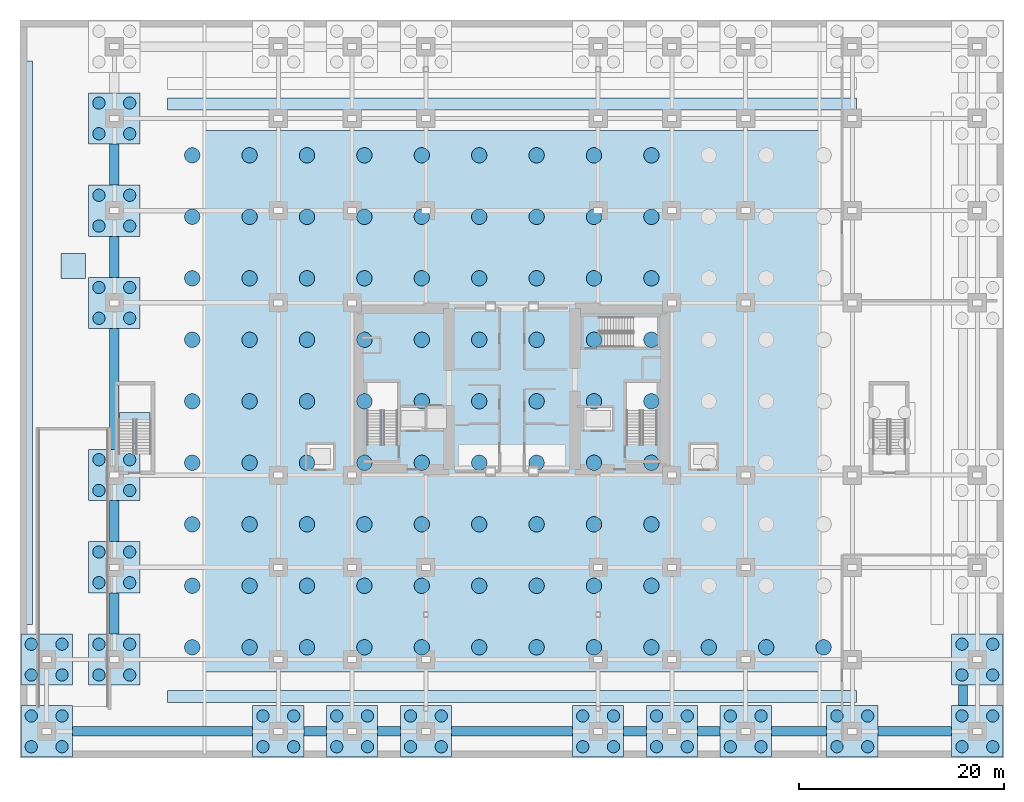
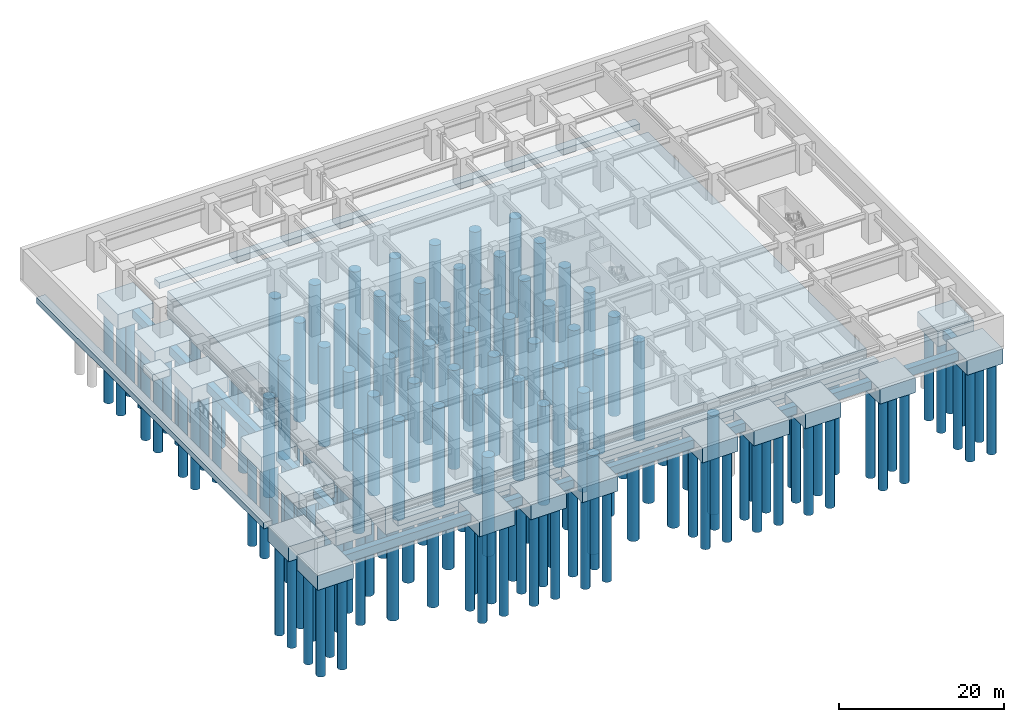
# One storey, part 1 of 23: 152 piles, 37 footings.
"""IFC4 building model written with IfcOpenShell, lengths in metres."""

from ifc_helpers import new_model, si_unit, direction, frame, origin, origin_2d, place, context, subcontext, project, spatial, rectangle, circle, extrude, material, material_profile, profile_set, type_object, element, save


model = new_model("IFC4")

# Units and contexts
model_context = context("Model", 3, precision=1e-05, world=origin(), true_north=direction((0.0, 1.0)))
body_context = subcontext(model_context, "Body", "Model", "MODEL_VIEW")
ifc_project = project(units=[si_unit("LENGTHUNIT", "METRE"), si_unit("AREAUNIT", "SQUARE_METRE"), si_unit("VOLUMEUNIT", "CUBIC_METRE"), si_unit("PLANEANGLEUNIT", "RADIAN"), si_unit("MASSUNIT", "GRAM", prefix="KILO")], contexts=[model_context])

# Site, building, storey
site_placement = place(None, origin())
site = spatial("IfcSite", under=ifc_project, at=site_placement, CompositionType="ELEMENT")
building_placement = place(site_placement, origin())
building = spatial("IfcBuilding", under=site, at=building_placement, Name="Kiyonajd Concourse Tower", CompositionType="ELEMENT")
storey_placement = place(building_placement, frame((0.0, 0.0, -9.0)))
storey = spatial("IfcBuildingStorey", under=building, at=storey_placement, Name="B2", CompositionType="ELEMENT", Elevation=-9.0)

# Footings
ifc_material_1 = material(Name="Concrete C50/60", Category="concrete")
footing_type_1 = type_object("IfcFootingType", Name="FT-GB-900", PredefinedType="FOOTING_BEAM", material=ifc_material_1)
footing_1_placement = place(storey_placement, frame((13.89990234375, 2.60009765625, -1.64990234375), z_axis=(0.0, 0.0, 1.0), x_axis=(1.0, 0.0, 0.0)))
element("IfcFooting", 1, at=footing_1_placement, inside=storey, type_object=footing_type_1, Name="Continuous Grade Beam GB S 1", PredefinedType="FOOTING_BEAM", context=body_context, shape_type="SweptSolid", body=[
    extrude(rectangle(XDim=17.60009765625, YDim=0.89990234375, at=origin_2d()), origin(), (0.0, 0.0, 1.0), 1.199951171875),
])
for number, where, z_axis, x_axis, name in (
    (2, (28.800048828125, 2.60009765625, -1.64990234375), (0.0, 0.0, 1.0), (1.0, 0.0, 0.0), "Continuous Grade Beam GB S 2"),
    (3, (36.0, 2.60009765625, -1.64990234375), (0.0, 0.0, 1.0), (1.0, 0.0, 0.0), "Continuous Grade Beam GB S 3"),
):
    element("IfcFooting", number, at=place(storey_placement, frame(where, z_axis=z_axis, x_axis=x_axis)), inside=storey, type_object=footing_type_1, Name=name, PredefinedType="FOOTING_BEAM", context=body_context, shape_type="SweptSolid", body=[
        extrude(rectangle(XDim=2.199951171875, YDim=0.89990234375, at=origin_2d()), origin(), (0.0, 0.0, 1.0), 1.199951171875),
    ])
footing_2_placement = place(storey_placement, frame((48.0, 2.60009765625, -1.64990234375), z_axis=(0.0, 0.0, 1.0), x_axis=(1.0, 0.0, 0.0)))
element("IfcFooting", 4, at=footing_2_placement, inside=storey, type_object=footing_type_1, Name="Continuous Grade Beam GB S 4", PredefinedType="FOOTING_BEAM", context=body_context, shape_type="SweptSolid", body=[
    extrude(rectangle(XDim=11.800048828125, YDim=0.89990234375, at=origin_2d()), origin(), (0.0, 0.0, 1.0), 1.199951171875),
])
for number, where, z_axis, x_axis, name in (
    (5, (60.0, 2.60009765625, -1.64990234375), (0.0, 0.0, 1.0), (1.0, 0.0, 0.0), "Continuous Grade Beam GB S 5"),
    (6, (67.199951171875, 2.60009765625, -1.64990234375), (0.0, 0.0, 1.0), (1.0, 0.0, 0.0), "Continuous Grade Beam GB S 6"),
):
    element("IfcFooting", number, at=place(storey_placement, frame(where, z_axis=z_axis, x_axis=x_axis)), inside=storey, type_object=footing_type_1, Name=name, PredefinedType="FOOTING_BEAM", context=body_context, shape_type="SweptSolid", body=[
        extrude(rectangle(XDim=2.199951171875, YDim=0.89990234375, at=origin_2d()), origin(), (0.0, 0.0, 1.0), 1.199951171875),
    ])
footing_3_placement = place(storey_placement, frame((76.0, 2.60009765625, -1.64990234375), z_axis=(0.0, 0.0, 1.0), x_axis=(1.0, 0.0, 0.0)))
element("IfcFooting", 7, at=footing_3_placement, inside=storey, type_object=footing_type_1, Name="Continuous Grade Beam GB S 7", PredefinedType="FOOTING_BEAM", context=body_context, shape_type="SweptSolid", body=[
    extrude(rectangle(XDim=5.39990234375, YDim=0.89990234375, at=origin_2d()), origin(), (0.0, 0.0, 1.0), 1.199951171875),
])
footing_4_placement = place(storey_placement, frame((87.300048828125, 2.60009765625, -1.64990234375), z_axis=(0.0, 0.0, 1.0), x_axis=(1.0, 0.0, 0.0)))
element("IfcFooting", 8, at=footing_4_placement, inside=storey, type_object=footing_type_1, Name="Continuous Grade Beam GB S 8", PredefinedType="FOOTING_BEAM", context=body_context, shape_type="SweptSolid", body=[
    extrude(rectangle(XDim=7.199951171875, YDim=0.89990234375, at=origin_2d()), origin(), (0.0, 0.0, 1.0), 1.199951171875),
])
for number, where, z_axis, x_axis, name in (
    (9, (9.199951171875, 14.10009765625, -1.64990234375), (0.0, 0.0, 1.0), (0.0, 1.0, 0.0), "Continuous Grade Beam GB W 1"),
    (10, (9.199951171875, 23.10009765625, -1.64990234375), (0.0, 0.0, 1.0), (0.0, 1.0, 0.0), "Continuous Grade Beam GB W 2"),
):
    element("IfcFooting", number, at=place(storey_placement, frame(where, z_axis=z_axis, x_axis=x_axis)), inside=storey, type_object=footing_type_1, Name=name, PredefinedType="FOOTING_BEAM", context=body_context, shape_type="SweptSolid", body=[
        extrude(rectangle(XDim=4.0, YDim=0.89990234375, at=origin_2d()), origin(), (0.0, 0.0, 1.0), 1.199951171875),
    ])
footing_5_placement = place(storey_placement, frame((9.199951171875, 36.0, -1.64990234375), z_axis=(0.0, 0.0, 1.0), x_axis=(0.0, 1.0, 0.0)))
element("IfcFooting", 11, at=footing_5_placement, inside=storey, type_object=footing_type_1, Name="Continuous Grade Beam GB W 3", PredefinedType="FOOTING_BEAM", context=body_context, shape_type="SweptSolid", body=[
    extrude(rectangle(XDim=11.800048828125, YDim=0.89990234375, at=origin_2d()), origin(), (0.0, 0.0, 1.0), 1.199951171875),
])
for number, where, z_axis, x_axis, name in (
    (12, (9.199951171875, 48.89990234375, -1.64990234375), (0.0, 0.0, 1.0), (0.0, 1.0, 0.0), "Continuous Grade Beam GB W 4"),
    (13, (9.199951171875, 57.89990234375, -1.64990234375), (0.0, 0.0, 1.0), (0.0, 1.0, 0.0), "Continuous Grade Beam GB W 5"),
):
    element("IfcFooting", number, at=place(storey_placement, frame(where, z_axis=z_axis, x_axis=x_axis)), inside=storey, type_object=footing_type_1, Name=name, PredefinedType="FOOTING_BEAM", context=body_context, shape_type="SweptSolid", body=[
        extrude(rectangle(XDim=4.0, YDim=0.89990234375, at=origin_2d()), origin(), (0.0, 0.0, 1.0), 1.199951171875),
    ])
footing_6_placement = place(storey_placement, frame((92.0, 6.10009765625, -1.64990234375), z_axis=(0.0, 0.0, 1.0), x_axis=(0.0, 1.0, 0.0)))
element("IfcFooting", 14, at=footing_6_placement, inside=storey, type_object=footing_type_1, Name="Continuous Grade Beam GB E 1", PredefinedType="FOOTING_BEAM", context=body_context, shape_type="SweptSolid", body=[
    extrude(rectangle(XDim=2.0, YDim=0.89990234375, at=origin_2d()), origin(), (0.0, 0.0, 1.0), 1.199951171875),
])
footing_type_2 = type_object("IfcFootingType", Name="FT-PAD-2400", PredefinedType="PAD_FOOTING", material=ifc_material_1)
footing_7_placement = place(storey_placement, frame((5.199951171875, 48.0, -1.449951171875), z_axis=(0.0, 0.0, 1.0), x_axis=(1.0, 0.0, 0.0)))
element("IfcFooting", 15, at=footing_7_placement, inside=storey, type_object=footing_type_2, Name="Basement Auxiliary Footing 02", PredefinedType="PAD_FOOTING", context=body_context, shape_type="SweptSolid", body=[
    extrude(rectangle(XDim=2.39990234375, YDim=2.39990234375, at=origin_2d()), origin(), (0.0, 0.0, 1.0), 1.0),
])
footing_type_3 = type_object("IfcFootingType", Name="FT-PAD-3000", PredefinedType="PAD_FOOTING", material=ifc_material_1)
footing_8_placement = place(storey_placement, frame((11.199951171875, 32.199951171875, -1.64990234375), z_axis=(0.0, 0.0, 1.0), x_axis=(1.0, 0.0, 0.0)))
element("IfcFooting", 16, at=footing_8_placement, inside=storey, type_object=footing_type_3, Name="Basement Pad Footing 01", PredefinedType="PAD_FOOTING", context=body_context, shape_type="SweptSolid", body=[
    extrude(rectangle(XDim=3.0, YDim=3.0, at=origin_2d()), origin(), (0.0, 0.0, 1.0), 1.199951171875),
])
footing_type_4 = type_object("IfcFootingType", Name="FT-PCAP-5000", PredefinedType="PILE_CAP", material=ifc_material_1)
for number, where, z_axis, x_axis, name in (
    (17, (2.60009765625, 2.60009765625, -2.64990234375), (0.0, 0.0, 1.0), (1.0, 0.0, 0.0), "Podium Pile Cap 01"),
    (18, (2.60009765625, 9.60009765625, -2.64990234375), (0.0, 0.0, 1.0), (1.0, 0.0, 0.0), "Podium Pile Cap 02"),
    (19, (9.199951171875, 9.60009765625, -2.64990234375), (0.0, 0.0, 1.0), (1.0, 0.0, 0.0), "Podium Pile Cap 03"),
    (20, (9.199951171875, 18.60009765625, -2.64990234375), (0.0, 0.0, 1.0), (1.0, 0.0, 0.0), "Podium Pile Cap 04"),
    (21, (9.199951171875, 27.60009765625, -2.64990234375), (0.0, 0.0, 1.0), (1.0, 0.0, 0.0), "Podium Pile Cap 05"),
    (22, (9.199951171875, 44.39990234375, -2.64990234375), (0.0, 0.0, 1.0), (1.0, 0.0, 0.0), "Podium Pile Cap 06"),
    (23, (9.199951171875, 53.39990234375, -2.64990234375), (0.0, 0.0, 1.0), (1.0, 0.0, 0.0), "Podium Pile Cap 07"),
    (24, (9.199951171875, 62.39990234375, -2.64990234375), (0.0, 0.0, 1.0), (1.0, 0.0, 0.0), "Podium Pile Cap 08"),
    (25, (25.199951171875, 2.60009765625, -2.64990234375), (0.0, 0.0, 1.0), (1.0, 0.0, 0.0), "Podium Pile Cap 10"),
    (26, (32.39990234375, 2.60009765625, -2.64990234375), (0.0, 0.0, 1.0), (1.0, 0.0, 0.0), "Podium Pile Cap 12"),
    (27, (39.60009765625, 2.60009765625, -2.64990234375), (0.0, 0.0, 1.0), (1.0, 0.0, 0.0), "Podium Pile Cap 14"),
    (28, (56.39990234375, 2.60009765625, -2.64990234375), (0.0, 0.0, 1.0), (1.0, 0.0, 0.0), "Podium Pile Cap 16"),
    (29, (63.60009765625, 2.60009765625, -2.64990234375), (0.0, 0.0, 1.0), (1.0, 0.0, 0.0), "Podium Pile Cap 18"),
    (30, (70.800048828125, 2.60009765625, -2.64990234375), (0.0, 0.0, 1.0), (1.0, 0.0, 0.0), "Podium Pile Cap 20"),
    (31, (81.199951171875, 2.60009765625, -2.64990234375), (0.0, 0.0, 1.0), (1.0, 0.0, 0.0), "Podium Pile Cap 22"),
    (32, (93.39990234375, 2.60009765625, -2.64990234375), (0.0, 0.0, 1.0), (1.0, 0.0, 0.0), "Podium Pile Cap 24"),
    (33, (93.39990234375, 9.60009765625, -2.64990234375), (0.0, 0.0, 1.0), (1.0, 0.0, 0.0), "Podium Pile Cap 25"),
):
    element("IfcFooting", number, at=place(storey_placement, frame(where, z_axis=z_axis, x_axis=x_axis)), inside=storey, type_object=footing_type_4, Name=name, PredefinedType="PILE_CAP", context=body_context, shape_type="SweptSolid", body=[
        extrude(rectangle(XDim=5.0, YDim=5.0, at=origin_2d()), origin(), (0.0, 0.0, 1.0), 2.199951171875),
    ])
ifc_material_2 = material(Name="Concrete C60/75", Category="concrete")
footing_type_5 = type_object("IfcFootingType", Name="FT-RAFT-4000", PredefinedType="PILE_CAP", material=ifc_material_2)
footing_9_placement = place(storey_placement, frame((48.0, 34.800048828125, -4.449951171875), z_axis=(0.0, 0.0, 1.0), x_axis=(1.0, 0.0, 0.0)))
element("IfcFooting", 34, at=footing_9_placement, inside=storey, type_object=footing_type_5, Name="Tower Concrete C60/75 Piled Raft", PredefinedType="PILE_CAP", context=body_context, shape_type="SweptSolid", body=[
    extrude(rectangle(XDim=67.199951171875, YDim=52.800048828125, at=origin_2d()), origin(), (0.0, 0.0, 1.0), 4.0),
])
footing_type_6 = type_object("IfcFootingType", Name="FT-SF-1200", PredefinedType="STRIP_FOOTING", material=ifc_material_1)
for number, where, z_axis, x_axis, name in (
    (35, (48.0, 6.0, -1.349853515625), (0.0, 0.0, 1.0), (1.0, 0.0, 0.0), "Continuous Strip Footing SF S"),
    (36, (48.0, 63.800048828125, -1.349853515625), (0.0, 0.0, 1.0), (1.0, 0.0, 0.0), "Continuous Strip Footing SF M1"),
):
    element("IfcFooting", number, at=place(storey_placement, frame(where, z_axis=z_axis, x_axis=x_axis)), inside=storey, type_object=footing_type_6, Name=name, PredefinedType="STRIP_FOOTING", context=body_context, shape_type="SweptSolid", body=[
        extrude(rectangle(XDim=67.199951171875, YDim=1.199951171875, at=origin_2d()), origin(), (0.0, 0.0, 1.0), 0.89990234375),
    ])
footing_10_placement = place(storey_placement, frame((0.60009765625, 40.5, -1.349853515625), z_axis=(0.0, 0.0, 1.0), x_axis=(0.0, 1.0, 0.0)))
element("IfcFooting", 37, at=footing_10_placement, inside=storey, type_object=footing_type_6, Name="Continuous Strip Footing SF W1", PredefinedType="STRIP_FOOTING", context=body_context, shape_type="SweptSolid", body=[
    extrude(rectangle(XDim=55.0, YDim=1.199951171875, at=origin_2d()), origin(), (0.0, 0.0, 1.0), 0.89990234375),
])

# Piles
ifc_material_profile_1 = material_profile(ifc_material_1, circle(Radius=0.60009765625, at=origin_2d()), Name="PILE-D1200")
ifc_profile_set_1 = profile_set([ifc_material_profile_1], Name="Concrete C50/60")
pile_type_1 = type_object("IfcPileType", Name="PI-BORED-1200", PredefinedType="BORED", material=ifc_profile_set_1)
for number, where, z_axis, x_axis, name in (
    (38, (1.10009765625, 1.10009765625, -2.550048828125), (0.0, 0.0, -1.0), (1.0, 0.0, 0.0), "Podium Rock-Socketed Bored Pile 001"),
    (39, (4.10009765625, 1.10009765625, -2.550048828125), (0.0, 0.0, -1.0), (1.0, 0.0, 0.0), "Podium Rock-Socketed Bored Pile 002"),
    (40, (1.10009765625, 4.10009765625, -2.550048828125), (0.0, 0.0, -1.0), (1.0, 0.0, 0.0), "Podium Rock-Socketed Bored Pile 003"),
    (41, (4.10009765625, 4.10009765625, -2.550048828125), (0.0, 0.0, -1.0), (1.0, 0.0, 0.0), "Podium Rock-Socketed Bored Pile 004"),
    (42, (1.10009765625, 8.10009765625, -2.550048828125), (0.0, 0.0, -1.0), (1.0, 0.0, 0.0), "Podium Rock-Socketed Bored Pile 005"),
    (43, (4.10009765625, 8.10009765625, -2.550048828125), (0.0, 0.0, -1.0), (1.0, 0.0, 0.0), "Podium Rock-Socketed Bored Pile 006"),
    (44, (1.10009765625, 11.10009765625, -2.550048828125), (0.0, 0.0, -1.0), (1.0, 0.0, 0.0), "Podium Rock-Socketed Bored Pile 007"),
    (45, (4.10009765625, 11.10009765625, -2.550048828125), (0.0, 0.0, -1.0), (1.0, 0.0, 0.0), "Podium Rock-Socketed Bored Pile 008"),
    (46, (7.699951171875, 8.10009765625, -2.550048828125), (0.0, 0.0, -1.0), (1.0, 0.0, 0.0), "Podium Rock-Socketed Bored Pile 009"),
    (47, (10.699951171875, 8.10009765625, -2.550048828125), (0.0, 0.0, -1.0), (1.0, 0.0, 0.0), "Podium Rock-Socketed Bored Pile 010"),
    (48, (7.699951171875, 11.10009765625, -2.550048828125), (0.0, 0.0, -1.0), (1.0, 0.0, 0.0), "Podium Rock-Socketed Bored Pile 011"),
    (49, (10.699951171875, 11.10009765625, -2.550048828125), (0.0, 0.0, -1.0), (1.0, 0.0, 0.0), "Podium Rock-Socketed Bored Pile 012"),
    (50, (7.699951171875, 17.10009765625, -2.550048828125), (0.0, 0.0, -1.0), (1.0, 0.0, 0.0), "Podium Rock-Socketed Bored Pile 013"),
    (51, (10.699951171875, 17.10009765625, -2.550048828125), (0.0, 0.0, -1.0), (1.0, 0.0, 0.0), "Podium Rock-Socketed Bored Pile 014"),
    (52, (7.699951171875, 20.10009765625, -2.550048828125), (0.0, 0.0, -1.0), (1.0, 0.0, 0.0), "Podium Rock-Socketed Bored Pile 015"),
    (53, (10.699951171875, 20.10009765625, -2.550048828125), (0.0, 0.0, -1.0), (1.0, 0.0, 0.0), "Podium Rock-Socketed Bored Pile 016"),
    (54, (7.699951171875, 26.10009765625, -2.550048828125), (0.0, 0.0, -1.0), (1.0, 0.0, 0.0), "Podium Rock-Socketed Bored Pile 017"),
    (55, (10.699951171875, 26.10009765625, -2.550048828125), (0.0, 0.0, -1.0), (1.0, 0.0, 0.0), "Podium Rock-Socketed Bored Pile 018"),
    (56, (7.699951171875, 29.10009765625, -2.550048828125), (0.0, 0.0, -1.0), (1.0, 0.0, 0.0), "Podium Rock-Socketed Bored Pile 019"),
    (57, (10.699951171875, 29.10009765625, -2.550048828125), (0.0, 0.0, -1.0), (1.0, 0.0, 0.0), "Podium Rock-Socketed Bored Pile 020"),
    (58, (7.699951171875, 42.89990234375, -2.550048828125), (0.0, 0.0, -1.0), (1.0, 0.0, 0.0), "Podium Rock-Socketed Bored Pile 021"),
    (59, (10.699951171875, 42.89990234375, -2.550048828125), (0.0, 0.0, -1.0), (1.0, 0.0, 0.0), "Podium Rock-Socketed Bored Pile 022"),
    (60, (7.699951171875, 45.89990234375, -2.550048828125), (0.0, 0.0, -1.0), (1.0, 0.0, 0.0), "Podium Rock-Socketed Bored Pile 023"),
    (61, (10.699951171875, 45.89990234375, -2.550048828125), (0.0, 0.0, -1.0), (1.0, 0.0, 0.0), "Podium Rock-Socketed Bored Pile 024"),
    (62, (7.699951171875, 51.89990234375, -2.550048828125), (0.0, 0.0, -1.0), (1.0, 0.0, 0.0), "Podium Rock-Socketed Bored Pile 025"),
    (63, (10.699951171875, 51.89990234375, -2.550048828125), (0.0, 0.0, -1.0), (1.0, 0.0, 0.0), "Podium Rock-Socketed Bored Pile 026"),
    (64, (7.699951171875, 54.89990234375, -2.550048828125), (0.0, 0.0, -1.0), (1.0, 0.0, 0.0), "Podium Rock-Socketed Bored Pile 027"),
    (65, (10.699951171875, 54.89990234375, -2.550048828125), (0.0, 0.0, -1.0), (1.0, 0.0, 0.0), "Podium Rock-Socketed Bored Pile 028"),
    (66, (7.699951171875, 60.89990234375, -2.550048828125), (0.0, 0.0, -1.0), (1.0, 0.0, 0.0), "Podium Rock-Socketed Bored Pile 029"),
    (67, (10.699951171875, 60.89990234375, -2.550048828125), (0.0, 0.0, -1.0), (1.0, 0.0, 0.0), "Podium Rock-Socketed Bored Pile 030"),
    (68, (7.699951171875, 63.89990234375, -2.550048828125), (0.0, 0.0, -1.0), (1.0, 0.0, 0.0), "Podium Rock-Socketed Bored Pile 031"),
    (69, (10.699951171875, 63.89990234375, -2.550048828125), (0.0, 0.0, -1.0), (1.0, 0.0, 0.0), "Podium Rock-Socketed Bored Pile 032"),
    (70, (23.699951171875, 1.10009765625, -2.550048828125), (0.0, 0.0, -1.0), (1.0, 0.0, 0.0), "Podium Rock-Socketed Bored Pile 037"),
    (71, (26.699951171875, 1.10009765625, -2.550048828125), (0.0, 0.0, -1.0), (1.0, 0.0, 0.0), "Podium Rock-Socketed Bored Pile 038"),
    (72, (23.699951171875, 4.10009765625, -2.550048828125), (0.0, 0.0, -1.0), (1.0, 0.0, 0.0), "Podium Rock-Socketed Bored Pile 039"),
    (73, (26.699951171875, 4.10009765625, -2.550048828125), (0.0, 0.0, -1.0), (1.0, 0.0, 0.0), "Podium Rock-Socketed Bored Pile 040"),
    (74, (30.89990234375, 1.10009765625, -2.550048828125), (0.0, 0.0, -1.0), (1.0, 0.0, 0.0), "Podium Rock-Socketed Bored Pile 045"),
    (75, (33.89990234375, 1.10009765625, -2.550048828125), (0.0, 0.0, -1.0), (1.0, 0.0, 0.0), "Podium Rock-Socketed Bored Pile 046"),
    (76, (30.89990234375, 4.10009765625, -2.550048828125), (0.0, 0.0, -1.0), (1.0, 0.0, 0.0), "Podium Rock-Socketed Bored Pile 047"),
    (77, (33.89990234375, 4.10009765625, -2.550048828125), (0.0, 0.0, -1.0), (1.0, 0.0, 0.0), "Podium Rock-Socketed Bored Pile 048"),
    (78, (38.10009765625, 1.10009765625, -2.550048828125), (0.0, 0.0, -1.0), (1.0, 0.0, 0.0), "Podium Rock-Socketed Bored Pile 053"),
    (79, (41.10009765625, 1.10009765625, -2.550048828125), (0.0, 0.0, -1.0), (1.0, 0.0, 0.0), "Podium Rock-Socketed Bored Pile 054"),
    (80, (38.10009765625, 4.10009765625, -2.550048828125), (0.0, 0.0, -1.0), (1.0, 0.0, 0.0), "Podium Rock-Socketed Bored Pile 055"),
    (81, (41.10009765625, 4.10009765625, -2.550048828125), (0.0, 0.0, -1.0), (1.0, 0.0, 0.0), "Podium Rock-Socketed Bored Pile 056"),
    (82, (54.89990234375, 1.10009765625, -2.550048828125), (0.0, 0.0, -1.0), (1.0, 0.0, 0.0), "Podium Rock-Socketed Bored Pile 061"),
    (83, (57.89990234375, 1.10009765625, -2.550048828125), (0.0, 0.0, -1.0), (1.0, 0.0, 0.0), "Podium Rock-Socketed Bored Pile 062"),
    (84, (54.89990234375, 4.10009765625, -2.550048828125), (0.0, 0.0, -1.0), (1.0, 0.0, 0.0), "Podium Rock-Socketed Bored Pile 063"),
    (85, (57.89990234375, 4.10009765625, -2.550048828125), (0.0, 0.0, -1.0), (1.0, 0.0, 0.0), "Podium Rock-Socketed Bored Pile 064"),
    (86, (62.10009765625, 1.10009765625, -2.550048828125), (0.0, 0.0, -1.0), (1.0, 0.0, 0.0), "Podium Rock-Socketed Bored Pile 069"),
    (87, (65.10009765625, 1.10009765625, -2.550048828125), (0.0, 0.0, -1.0), (1.0, 0.0, 0.0), "Podium Rock-Socketed Bored Pile 070"),
    (88, (62.10009765625, 4.10009765625, -2.550048828125), (0.0, 0.0, -1.0), (1.0, 0.0, 0.0), "Podium Rock-Socketed Bored Pile 071"),
    (89, (65.10009765625, 4.10009765625, -2.550048828125), (0.0, 0.0, -1.0), (1.0, 0.0, 0.0), "Podium Rock-Socketed Bored Pile 072"),
    (90, (69.300048828125, 1.10009765625, -2.550048828125), (0.0, 0.0, -1.0), (1.0, 0.0, 0.0), "Podium Rock-Socketed Bored Pile 077"),
    (91, (72.300048828125, 1.10009765625, -2.550048828125), (0.0, 0.0, -1.0), (1.0, 0.0, 0.0), "Podium Rock-Socketed Bored Pile 078"),
    (92, (69.300048828125, 4.10009765625, -2.550048828125), (0.0, 0.0, -1.0), (1.0, 0.0, 0.0), "Podium Rock-Socketed Bored Pile 079"),
    (93, (72.300048828125, 4.10009765625, -2.550048828125), (0.0, 0.0, -1.0), (1.0, 0.0, 0.0), "Podium Rock-Socketed Bored Pile 080"),
    (94, (79.699951171875, 1.10009765625, -2.550048828125), (0.0, 0.0, -1.0), (1.0, 0.0, 0.0), "Podium Rock-Socketed Bored Pile 085"),
    (95, (82.699951171875, 1.10009765625, -2.550048828125), (0.0, 0.0, -1.0), (1.0, 0.0, 0.0), "Podium Rock-Socketed Bored Pile 086"),
    (96, (79.699951171875, 4.10009765625, -2.550048828125), (0.0, 0.0, -1.0), (1.0, 0.0, 0.0), "Podium Rock-Socketed Bored Pile 087"),
    (97, (82.699951171875, 4.10009765625, -2.550048828125), (0.0, 0.0, -1.0), (1.0, 0.0, 0.0), "Podium Rock-Socketed Bored Pile 088"),
    (98, (91.89990234375, 1.10009765625, -2.550048828125), (0.0, 0.0, -1.0), (1.0, 0.0, 0.0), "Podium Rock-Socketed Bored Pile 093"),
    (99, (94.89990234375, 1.10009765625, -2.550048828125), (0.0, 0.0, -1.0), (1.0, 0.0, 0.0), "Podium Rock-Socketed Bored Pile 094"),
    (100, (91.89990234375, 4.10009765625, -2.550048828125), (0.0, 0.0, -1.0), (1.0, 0.0, 0.0), "Podium Rock-Socketed Bored Pile 095"),
    (101, (94.89990234375, 4.10009765625, -2.550048828125), (0.0, 0.0, -1.0), (1.0, 0.0, 0.0), "Podium Rock-Socketed Bored Pile 096"),
    (102, (91.89990234375, 8.10009765625, -2.550048828125), (0.0, 0.0, -1.0), (1.0, 0.0, 0.0), "Podium Rock-Socketed Bored Pile 097"),
    (103, (94.89990234375, 8.10009765625, -2.550048828125), (0.0, 0.0, -1.0), (1.0, 0.0, 0.0), "Podium Rock-Socketed Bored Pile 098"),
    (104, (91.89990234375, 11.10009765625, -2.550048828125), (0.0, 0.0, -1.0), (1.0, 0.0, 0.0), "Podium Rock-Socketed Bored Pile 099"),
    (105, (94.89990234375, 11.10009765625, -2.550048828125), (0.0, 0.0, -1.0), (1.0, 0.0, 0.0), "Podium Rock-Socketed Bored Pile 100"),
):
    element("IfcPile", number, at=place(storey_placement, frame(where, z_axis=z_axis, x_axis=x_axis)), inside=storey, type_object=pile_type_1, Name=name, PredefinedType="BORED", context=body_context, shape_type="SweptSolid", body=[
        extrude(circle(Radius=0.60009765625, at=origin_2d()), origin(), (0.0, 0.0, 1.0), 13.449951171875),
    ])
ifc_material_profile_2 = material_profile(ifc_material_1, circle(Radius=0.75, at=origin_2d()), Name="PILE-D1500")
ifc_profile_set_2 = profile_set([ifc_material_profile_2], Name="Concrete C50/60")
pile_type_2 = type_object("IfcPileType", Name="PI-BORED-1500", PredefinedType="BORED", material=ifc_profile_set_2)
for number, where, z_axis, x_axis, name in (
    (106, (16.800048828125, 10.800048828125, -4.35009765625), (0.0, 0.0, -1.0), (1.0, 0.0, 0.0), "Tower Rock-Socketed Bored Pile 001"),
    (107, (16.800048828125, 16.800048828125, -4.35009765625), (0.0, 0.0, -1.0), (1.0, 0.0, 0.0), "Tower Rock-Socketed Bored Pile 002"),
    (108, (16.800048828125, 22.800048828125, -4.35009765625), (0.0, 0.0, -1.0), (1.0, 0.0, 0.0), "Tower Rock-Socketed Bored Pile 003"),
    (109, (16.800048828125, 28.800048828125, -4.35009765625), (0.0, 0.0, -1.0), (1.0, 0.0, 0.0), "Tower Rock-Socketed Bored Pile 004"),
    (110, (16.800048828125, 34.800048828125, -4.35009765625), (0.0, 0.0, -1.0), (1.0, 0.0, 0.0), "Tower Rock-Socketed Bored Pile 005"),
    (111, (16.800048828125, 40.800048828125, -4.35009765625), (0.0, 0.0, -1.0), (1.0, 0.0, 0.0), "Tower Rock-Socketed Bored Pile 006"),
    (112, (16.800048828125, 46.800048828125, -4.35009765625), (0.0, 0.0, -1.0), (1.0, 0.0, 0.0), "Tower Rock-Socketed Bored Pile 007"),
    (113, (16.800048828125, 52.800048828125, -4.35009765625), (0.0, 0.0, -1.0), (1.0, 0.0, 0.0), "Tower Rock-Socketed Bored Pile 008"),
    (114, (16.800048828125, 58.800048828125, -4.35009765625), (0.0, 0.0, -1.0), (1.0, 0.0, 0.0), "Tower Rock-Socketed Bored Pile 009"),
    (115, (22.39990234375, 10.800048828125, -4.35009765625), (0.0, 0.0, -1.0), (1.0, 0.0, 0.0), "Tower Rock-Socketed Bored Pile 010"),
    (116, (22.39990234375, 16.800048828125, -4.35009765625), (0.0, 0.0, -1.0), (1.0, 0.0, 0.0), "Tower Rock-Socketed Bored Pile 011"),
    (117, (22.39990234375, 22.800048828125, -4.35009765625), (0.0, 0.0, -1.0), (1.0, 0.0, 0.0), "Tower Rock-Socketed Bored Pile 012"),
    (118, (22.39990234375, 28.800048828125, -4.35009765625), (0.0, 0.0, -1.0), (1.0, 0.0, 0.0), "Tower Rock-Socketed Bored Pile 013"),
    (119, (22.39990234375, 34.800048828125, -4.35009765625), (0.0, 0.0, -1.0), (1.0, 0.0, 0.0), "Tower Rock-Socketed Bored Pile 014"),
    (120, (22.39990234375, 40.800048828125, -4.35009765625), (0.0, 0.0, -1.0), (1.0, 0.0, 0.0), "Tower Rock-Socketed Bored Pile 015"),
    (121, (22.39990234375, 46.800048828125, -4.35009765625), (0.0, 0.0, -1.0), (1.0, 0.0, 0.0), "Tower Rock-Socketed Bored Pile 016"),
    (122, (22.39990234375, 52.800048828125, -4.35009765625), (0.0, 0.0, -1.0), (1.0, 0.0, 0.0), "Tower Rock-Socketed Bored Pile 017"),
    (123, (22.39990234375, 58.800048828125, -4.35009765625), (0.0, 0.0, -1.0), (1.0, 0.0, 0.0), "Tower Rock-Socketed Bored Pile 018"),
    (124, (28.0, 10.800048828125, -4.35009765625), (0.0, 0.0, -1.0), (1.0, 0.0, 0.0), "Tower Rock-Socketed Bored Pile 019"),
    (125, (28.0, 16.800048828125, -4.35009765625), (0.0, 0.0, -1.0), (1.0, 0.0, 0.0), "Tower Rock-Socketed Bored Pile 020"),
    (126, (28.0, 22.800048828125, -4.35009765625), (0.0, 0.0, -1.0), (1.0, 0.0, 0.0), "Tower Rock-Socketed Bored Pile 021"),
    (127, (28.0, 28.800048828125, -4.35009765625), (0.0, 0.0, -1.0), (1.0, 0.0, 0.0), "Tower Rock-Socketed Bored Pile 022"),
    (128, (28.0, 34.800048828125, -4.35009765625), (0.0, 0.0, -1.0), (1.0, 0.0, 0.0), "Tower Rock-Socketed Bored Pile 023"),
    (129, (28.0, 40.800048828125, -4.35009765625), (0.0, 0.0, -1.0), (1.0, 0.0, 0.0), "Tower Rock-Socketed Bored Pile 024"),
    (130, (28.0, 46.800048828125, -4.35009765625), (0.0, 0.0, -1.0), (1.0, 0.0, 0.0), "Tower Rock-Socketed Bored Pile 025"),
    (131, (28.0, 52.800048828125, -4.35009765625), (0.0, 0.0, -1.0), (1.0, 0.0, 0.0), "Tower Rock-Socketed Bored Pile 026"),
    (132, (28.0, 58.800048828125, -4.35009765625), (0.0, 0.0, -1.0), (1.0, 0.0, 0.0), "Tower Rock-Socketed Bored Pile 027"),
    (133, (33.60009765625, 10.800048828125, -4.35009765625), (0.0, 0.0, -1.0), (1.0, 0.0, 0.0), "Tower Rock-Socketed Bored Pile 028"),
    (134, (33.60009765625, 16.800048828125, -4.35009765625), (0.0, 0.0, -1.0), (1.0, 0.0, 0.0), "Tower Rock-Socketed Bored Pile 029"),
    (135, (33.60009765625, 22.800048828125, -4.35009765625), (0.0, 0.0, -1.0), (1.0, 0.0, 0.0), "Tower Rock-Socketed Bored Pile 030"),
    (136, (33.60009765625, 28.800048828125, -4.35009765625), (0.0, 0.0, -1.0), (1.0, 0.0, 0.0), "Tower Rock-Socketed Bored Pile 031"),
    (137, (33.60009765625, 34.800048828125, -4.35009765625), (0.0, 0.0, -1.0), (1.0, 0.0, 0.0), "Tower Rock-Socketed Bored Pile 032"),
    (138, (33.60009765625, 40.800048828125, -4.35009765625), (0.0, 0.0, -1.0), (1.0, 0.0, 0.0), "Tower Rock-Socketed Bored Pile 033"),
    (139, (33.60009765625, 46.800048828125, -4.35009765625), (0.0, 0.0, -1.0), (1.0, 0.0, 0.0), "Tower Rock-Socketed Bored Pile 034"),
    (140, (33.60009765625, 52.800048828125, -4.35009765625), (0.0, 0.0, -1.0), (1.0, 0.0, 0.0), "Tower Rock-Socketed Bored Pile 035"),
    (141, (33.60009765625, 58.800048828125, -4.35009765625), (0.0, 0.0, -1.0), (1.0, 0.0, 0.0), "Tower Rock-Socketed Bored Pile 036"),
    (142, (39.199951171875, 10.800048828125, -4.35009765625), (0.0, 0.0, -1.0), (1.0, 0.0, 0.0), "Tower Rock-Socketed Bored Pile 037"),
    (143, (39.199951171875, 16.800048828125, -4.35009765625), (0.0, 0.0, -1.0), (1.0, 0.0, 0.0), "Tower Rock-Socketed Bored Pile 038"),
    (144, (39.199951171875, 22.800048828125, -4.35009765625), (0.0, 0.0, -1.0), (1.0, 0.0, 0.0), "Tower Rock-Socketed Bored Pile 039"),
    (145, (39.199951171875, 28.800048828125, -4.35009765625), (0.0, 0.0, -1.0), (1.0, 0.0, 0.0), "Tower Rock-Socketed Bored Pile 040"),
    (146, (39.199951171875, 34.800048828125, -4.35009765625), (0.0, 0.0, -1.0), (1.0, 0.0, 0.0), "Tower Rock-Socketed Bored Pile 041"),
    (147, (39.199951171875, 40.800048828125, -4.35009765625), (0.0, 0.0, -1.0), (1.0, 0.0, 0.0), "Tower Rock-Socketed Bored Pile 042"),
    (148, (39.199951171875, 46.800048828125, -4.35009765625), (0.0, 0.0, -1.0), (1.0, 0.0, 0.0), "Tower Rock-Socketed Bored Pile 043"),
    (149, (39.199951171875, 52.800048828125, -4.35009765625), (0.0, 0.0, -1.0), (1.0, 0.0, 0.0), "Tower Rock-Socketed Bored Pile 044"),
    (150, (39.199951171875, 58.800048828125, -4.35009765625), (0.0, 0.0, -1.0), (1.0, 0.0, 0.0), "Tower Rock-Socketed Bored Pile 045"),
    (151, (44.800048828125, 10.800048828125, -4.35009765625), (0.0, 0.0, -1.0), (1.0, 0.0, 0.0), "Tower Rock-Socketed Bored Pile 046"),
    (152, (44.800048828125, 16.800048828125, -4.35009765625), (0.0, 0.0, -1.0), (1.0, 0.0, 0.0), "Tower Rock-Socketed Bored Pile 047"),
    (153, (44.800048828125, 22.800048828125, -4.35009765625), (0.0, 0.0, -1.0), (1.0, 0.0, 0.0), "Tower Rock-Socketed Bored Pile 048"),
    (154, (44.800048828125, 28.800048828125, -4.35009765625), (0.0, 0.0, -1.0), (1.0, 0.0, 0.0), "Tower Rock-Socketed Bored Pile 049"),
    (155, (44.800048828125, 34.800048828125, -4.35009765625), (0.0, 0.0, -1.0), (1.0, 0.0, 0.0), "Tower Rock-Socketed Bored Pile 050"),
    (156, (44.800048828125, 40.800048828125, -4.35009765625), (0.0, 0.0, -1.0), (1.0, 0.0, 0.0), "Tower Rock-Socketed Bored Pile 051"),
    (157, (44.800048828125, 46.800048828125, -4.35009765625), (0.0, 0.0, -1.0), (1.0, 0.0, 0.0), "Tower Rock-Socketed Bored Pile 052"),
    (158, (44.800048828125, 52.800048828125, -4.35009765625), (0.0, 0.0, -1.0), (1.0, 0.0, 0.0), "Tower Rock-Socketed Bored Pile 053"),
    (159, (44.800048828125, 58.800048828125, -4.35009765625), (0.0, 0.0, -1.0), (1.0, 0.0, 0.0), "Tower Rock-Socketed Bored Pile 054"),
    (160, (50.39990234375, 10.800048828125, -4.35009765625), (0.0, 0.0, -1.0), (1.0, 0.0, 0.0), "Tower Rock-Socketed Bored Pile 055"),
    (161, (50.39990234375, 16.800048828125, -4.35009765625), (0.0, 0.0, -1.0), (1.0, 0.0, 0.0), "Tower Rock-Socketed Bored Pile 056"),
    (162, (50.39990234375, 22.800048828125, -4.35009765625), (0.0, 0.0, -1.0), (1.0, 0.0, 0.0), "Tower Rock-Socketed Bored Pile 057"),
    (163, (50.39990234375, 28.800048828125, -4.35009765625), (0.0, 0.0, -1.0), (1.0, 0.0, 0.0), "Tower Rock-Socketed Bored Pile 058"),
    (164, (50.39990234375, 34.800048828125, -4.35009765625), (0.0, 0.0, -1.0), (1.0, 0.0, 0.0), "Tower Rock-Socketed Bored Pile 059"),
    (165, (50.39990234375, 40.800048828125, -4.35009765625), (0.0, 0.0, -1.0), (1.0, 0.0, 0.0), "Tower Rock-Socketed Bored Pile 060"),
    (166, (50.39990234375, 46.800048828125, -4.35009765625), (0.0, 0.0, -1.0), (1.0, 0.0, 0.0), "Tower Rock-Socketed Bored Pile 061"),
    (167, (50.39990234375, 52.800048828125, -4.35009765625), (0.0, 0.0, -1.0), (1.0, 0.0, 0.0), "Tower Rock-Socketed Bored Pile 062"),
    (168, (50.39990234375, 58.800048828125, -4.35009765625), (0.0, 0.0, -1.0), (1.0, 0.0, 0.0), "Tower Rock-Socketed Bored Pile 063"),
    (169, (56.0, 10.800048828125, -4.35009765625), (0.0, 0.0, -1.0), (1.0, 0.0, 0.0), "Tower Rock-Socketed Bored Pile 064"),
    (170, (56.0, 16.800048828125, -4.35009765625), (0.0, 0.0, -1.0), (1.0, 0.0, 0.0), "Tower Rock-Socketed Bored Pile 065"),
    (171, (56.0, 22.800048828125, -4.35009765625), (0.0, 0.0, -1.0), (1.0, 0.0, 0.0), "Tower Rock-Socketed Bored Pile 066"),
    (172, (56.0, 28.800048828125, -4.35009765625), (0.0, 0.0, -1.0), (1.0, 0.0, 0.0), "Tower Rock-Socketed Bored Pile 067"),
    (173, (56.0, 34.800048828125, -4.35009765625), (0.0, 0.0, -1.0), (1.0, 0.0, 0.0), "Tower Rock-Socketed Bored Pile 068"),
    (174, (56.0, 40.800048828125, -4.35009765625), (0.0, 0.0, -1.0), (1.0, 0.0, 0.0), "Tower Rock-Socketed Bored Pile 069"),
    (175, (56.0, 46.800048828125, -4.35009765625), (0.0, 0.0, -1.0), (1.0, 0.0, 0.0), "Tower Rock-Socketed Bored Pile 070"),
    (176, (56.0, 52.800048828125, -4.35009765625), (0.0, 0.0, -1.0), (1.0, 0.0, 0.0), "Tower Rock-Socketed Bored Pile 071"),
    (177, (56.0, 58.800048828125, -4.35009765625), (0.0, 0.0, -1.0), (1.0, 0.0, 0.0), "Tower Rock-Socketed Bored Pile 072"),
    (178, (61.60009765625, 10.800048828125, -4.35009765625), (0.0, 0.0, -1.0), (1.0, 0.0, 0.0), "Tower Rock-Socketed Bored Pile 073"),
    (179, (61.60009765625, 16.800048828125, -4.35009765625), (0.0, 0.0, -1.0), (1.0, 0.0, 0.0), "Tower Rock-Socketed Bored Pile 074"),
    (180, (61.60009765625, 22.800048828125, -4.35009765625), (0.0, 0.0, -1.0), (1.0, 0.0, 0.0), "Tower Rock-Socketed Bored Pile 075"),
    (181, (61.60009765625, 28.800048828125, -4.35009765625), (0.0, 0.0, -1.0), (1.0, 0.0, 0.0), "Tower Rock-Socketed Bored Pile 076"),
    (182, (61.60009765625, 34.800048828125, -4.35009765625), (0.0, 0.0, -1.0), (1.0, 0.0, 0.0), "Tower Rock-Socketed Bored Pile 077"),
    (183, (61.60009765625, 40.800048828125, -4.35009765625), (0.0, 0.0, -1.0), (1.0, 0.0, 0.0), "Tower Rock-Socketed Bored Pile 078"),
    (184, (61.60009765625, 46.800048828125, -4.35009765625), (0.0, 0.0, -1.0), (1.0, 0.0, 0.0), "Tower Rock-Socketed Bored Pile 079"),
    (185, (61.60009765625, 52.800048828125, -4.35009765625), (0.0, 0.0, -1.0), (1.0, 0.0, 0.0), "Tower Rock-Socketed Bored Pile 080"),
    (186, (61.60009765625, 58.800048828125, -4.35009765625), (0.0, 0.0, -1.0), (1.0, 0.0, 0.0), "Tower Rock-Socketed Bored Pile 081"),
    (187, (67.199951171875, 10.800048828125, -4.35009765625), (0.0, 0.0, -1.0), (1.0, 0.0, 0.0), "Tower Rock-Socketed Bored Pile 082"),
    (188, (72.800048828125, 10.800048828125, -4.35009765625), (0.0, 0.0, -1.0), (1.0, 0.0, 0.0), "Tower Rock-Socketed Bored Pile 091"),
    (189, (78.39990234375, 10.800048828125, -4.35009765625), (0.0, 0.0, -1.0), (1.0, 0.0, 0.0), "Tower Rock-Socketed Bored Pile 100"),
):
    element("IfcPile", number, at=place(storey_placement, frame(where, z_axis=z_axis, x_axis=x_axis)), inside=storey, type_object=pile_type_2, Name=name, PredefinedType="BORED", context=body_context, shape_type="SweptSolid", body=[
        extrude(circle(Radius=0.75, at=origin_2d()), origin(), (0.0, 0.0, 1.0), 14.64990234375),
    ])

save(model, "model.ifc")
